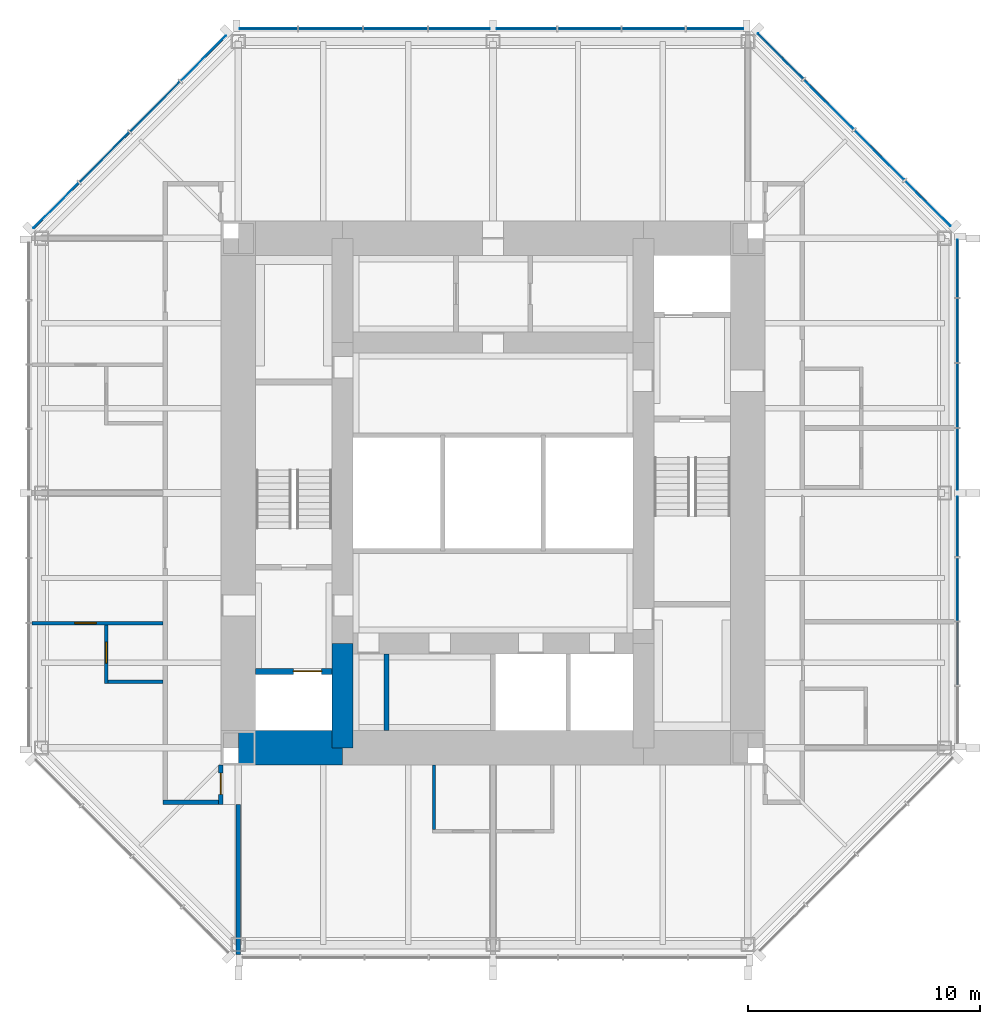
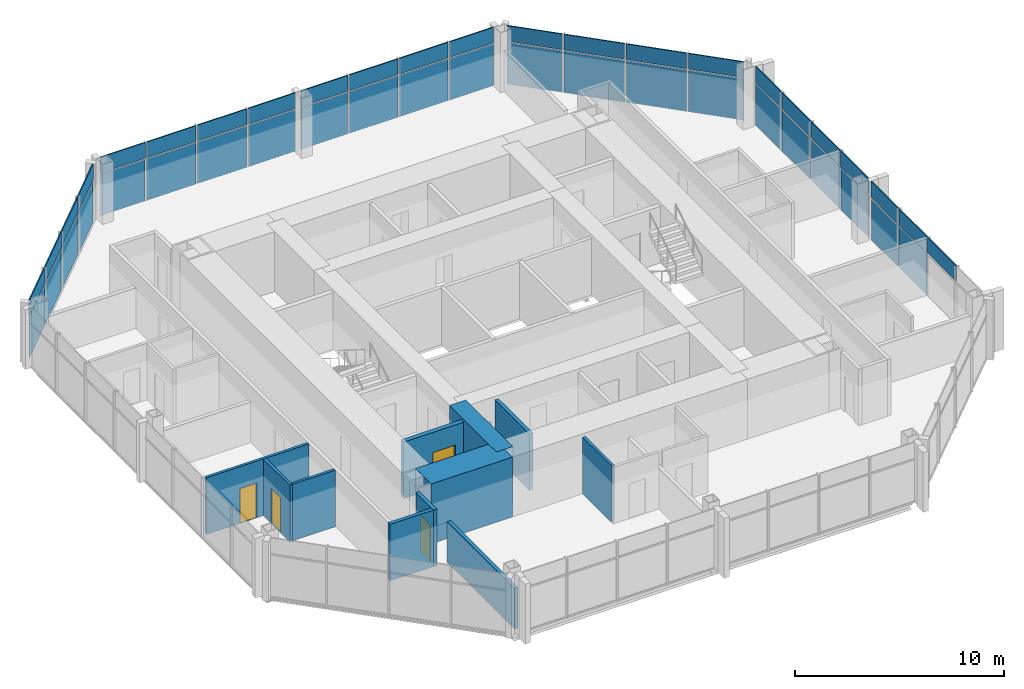
# One storey, part 7 of 11: 45 plates, 11 walls, 4 doors, 4 openings, 4 elements without a shape of their own.
"""IFC4 building model written with IfcOpenShell, lengths in metres."""

import ifcopenshell
import ifcopenshell.guid

model = None  # the IFC model being written
_history = None  # IfcOwnerHistory: only IFC2X3 demands one
_inside = {}  # id of a spatial element -> (the spatial element, [elements in it])
_under = {}  # id of a project, library or spatial element -> (it, [spatial elements below it])
_declared = {}  # id of a project -> (the project, [libraries it declares])
_typed = {}  # id of a type object -> (the type object, [elements of that type])
_made_of = {}  # id of a material, layer set ... -> (it, [elements and type objects made of it])


def new_model(schema):
    """Start an empty IFC model of exactly this schema.

    Asked for "IFC4X3", IfcOpenShell would pick the latest addendum, in which some entities
    have other attributes; the version numbers below select the first issue.
    IFC2X3 requires an IfcOwnerHistory on every rooted entity: one is made here for all.
    """
    global model, _history
    if schema == "IFC4X3":
        model = ifcopenshell.file(schema_version=(4, 3, 0, 0))
    else:
        model = ifcopenshell.file(schema=schema)
    _inside.clear()
    _under.clear()
    _declared.clear()
    _typed.clear()
    _made_of.clear()
    _history = None
    if model.schema == "IFC2X3":
        org = make("IfcOrganization", Name="unknown")
        user = make(
            "IfcPersonAndOrganization",
            ThePerson=make("IfcPerson", FamilyName="unknown"),
            TheOrganization=org,
        )
        app = make(
            "IfcApplication",
            ApplicationDeveloper=org,
            Version="unknown",
            ApplicationFullName="unknown",
            ApplicationIdentifier="unknown",
        )
        _history = make(
            "IfcOwnerHistory",
            OwningUser=user,
            OwningApplication=app,
            ChangeAction="ADDED",
            CreationDate=0,
        )
    return model


def make(cls, **values):
    """One entity of the class cls with the attributes given. An attribute that is None is left unset."""
    return model.create_entity(
        cls, **{name: value for name, value in values.items() if value is not None}
    )


def rooted(cls, **values):
    """An entity with a GlobalId (a new one), such as an element, a storey or a relation."""
    return make(cls, GlobalId=ifcopenshell.guid.new(), OwnerHistory=_history, **values)


def si_unit(unit_type, name, prefix=None):
    """IfcSIUnit, for example si_unit("LENGTHUNIT", "METRE", prefix="MILLI")."""
    return make("IfcSIUnit", UnitType=unit_type, Prefix=prefix, Name=name)


def assignment(units):
    """IfcUnitAssignment: the units of a project."""
    return None if units is None else make("IfcUnitAssignment", Units=units)


def point(xyz):
    """IfcCartesianPoint."""
    return None if xyz is None else make("IfcCartesianPoint", Coordinates=xyz)


def direction(xyz):
    """IfcDirection."""
    return None if xyz is None else make("IfcDirection", DirectionRatios=xyz)


def frame(location, z_axis=None, x_axis=None):
    """IfcAxis2Placement3D, a coordinate frame: its origin and axes. An axis left out is left unset."""
    return make(
        "IfcAxis2Placement3D",
        Location=point(location),
        Axis=direction(z_axis),
        RefDirection=direction(x_axis),
    )


def frame_2d(location, x_axis=None):
    """IfcAxis2Placement2D, a coordinate frame in the plane: its origin and x axis."""
    return make(
        "IfcAxis2Placement2D", Location=point(location), RefDirection=direction(x_axis)
    )


def origin():
    """The frame at (0, 0, 0) with its axes left unset."""
    return frame((0.0, 0.0, 0.0))


def origin_2d():
    """The frame at (0, 0) in the plane with its x axis left unset."""
    return frame_2d((0.0, 0.0))


def place(relative_to, where):
    """IfcLocalPlacement: puts the frame where relative to a parent placement (None: the world)."""
    return make(
        "IfcLocalPlacement", PlacementRelTo=relative_to, RelativePlacement=where
    )


def context(
    kind, dimensions, precision=None, world=None, true_north=None, identifier=None
):
    """IfcGeometricRepresentationContext, for example the 3D "Model" context."""
    return make(
        "IfcGeometricRepresentationContext",
        ContextIdentifier=identifier,
        ContextType=kind,
        CoordinateSpaceDimension=dimensions,
        Precision=precision,
        WorldCoordinateSystem=world,
        TrueNorth=true_north,
    )


def subcontext(parent, identifier, kind, view, scale=None):
    """IfcGeometricRepresentationSubContext, for example "Body" below "Model"."""
    return make(
        "IfcGeometricRepresentationSubContext",
        ContextIdentifier=identifier,
        ContextType=kind,
        ParentContext=parent,
        TargetScale=scale,
        TargetView=view,
    )


def project(units=None, contexts=None):
    """IfcProject with its units and contexts."""
    return rooted(
        "IfcProject",
        Name="project",
        RepresentationContexts=contexts,
        UnitsInContext=assignment(units),
    )


def spatial(cls, under=None, at=None, **own):
    """A site, building, storey or space (cls), placed at a placement, below another one or the project."""
    s = rooted(cls, ObjectPlacement=at, **own)
    if under is not None:
        _under.setdefault(under.id(), (under, []))[1].append(s)
    return s


def profile(cls, at=None, kind="AREA", **sizes):
    """A parametric profile (cls). Its sizes go by their IFC names, for example OverallWidth=200.0."""
    return make(cls, ProfileType=kind, Position=at, **sizes)


def rectangle(**sizes):
    """IfcRectangleProfileDef."""
    return profile("IfcRectangleProfileDef", **sizes)


def extrude(swept, where, along, depth):
    """IfcExtrudedAreaSolid: the profile swept, set in the frame where, extruded along a direction by depth."""
    return make(
        "IfcExtrudedAreaSolid",
        SweptArea=swept,
        Position=where,
        ExtrudedDirection=direction(along),
        Depth=depth,
    )


def shape(context_of_items, identifier, shape_type, items):
    """IfcShapeRepresentation: the items that make up one representation, for example the "Body"."""
    return make(
        "IfcShapeRepresentation",
        ContextOfItems=context_of_items,
        RepresentationIdentifier=identifier,
        RepresentationType=shape_type,
        Items=items,
    )


def material(Name=None, Category=None):
    """IfcMaterial."""
    return make("IfcMaterial", Name=Name, Category=Category)


def layer(
    of_material, thickness, ventilated=None, Name=None, Category=None, Priority=None
):
    """IfcMaterialLayer: one layer of a wall or slab, of a material (None: an air gap)."""
    return make(
        "IfcMaterialLayer",
        Material=of_material,
        LayerThickness=thickness,
        IsVentilated=ventilated,
        Name=Name,
        Category=Category,
        Priority=Priority,
    )


def layer_set(layers, Name=None):
    """IfcMaterialLayerSet."""
    return make("IfcMaterialLayerSet", MaterialLayers=layers, LayerSetName=Name)


def made_of(thing, what):
    """Note that an element or type object is made of a material, layer set ...; save() writes the relation."""
    if what is not None:
        _made_of.setdefault(what.id(), (what, []))[1].append(thing)
    return thing


def type_object(cls, material=None, **own):
    """A type object (cls), such as IfcWallType, which elements share."""
    return made_of(rooted(cls, **own), material)


def element(
    cls,
    number,
    at=None,
    inside=None,
    cuts=None,
    type_object=None,
    material=None,
    context=None,
    identifier="Body",
    shape_type=None,
    held_by="IfcProductDefinitionShape",
    body=None,
    shapes=None,
    **own,
):
    """One element of the class cls, such as IfcWall. Its Tag is "e" and its number.

    at: its placement. inside: the storey or other place that contains it. cuts: it is an
    opening in that element (IfcRelVoidsElement). A single representation is given by context,
    identifier, shape_type and body (its items); several are given by shapes. held_by: the class
    of the entity that holds the representations. save() writes the other relations.
    """
    e = rooted(cls, Tag="e%d" % number, ObjectPlacement=at, **own)
    if body is not None:
        shapes = [shape(context, identifier, shape_type, body)]
    if shapes is not None:
        e.Representation = make(held_by, Representations=shapes)
    if inside is not None:
        _inside.setdefault(inside.id(), (inside, []))[1].append(e)
    if cuts is not None:
        rooted(
            "IfcRelVoidsElement", RelatingBuildingElement=cuts, RelatedOpeningElement=e
        )
    if type_object is not None:
        _typed.setdefault(type_object.id(), (type_object, []))[1].append(e)
    return made_of(e, material)


def fill(opening, filler):
    """IfcRelFillsElement: the door or window that sits in an opening."""
    return rooted(
        "IfcRelFillsElement",
        RelatingOpeningElement=opening,
        RelatedBuildingElement=filler,
    )


def aggregate(whole, parts):
    """IfcRelAggregates: a whole, such as a stair, and the parts it consists of."""
    return rooted("IfcRelAggregates", RelatingObject=whole, RelatedObjects=parts)


def save(model, path):
    """Write the relations noted so far, then the file.

    IfcRelAggregates (storeys below a building ...), IfcRelContainedInSpatialStructure (elements
    in a storey), IfcRelDefinesByType, IfcRelAssociatesMaterial and IfcRelDeclares: one each for
    every whole, place, type object, material and project.
    """
    for whole, parts in _under.values():
        aggregate(whole, parts)
    for where, things in _inside.values():
        rooted(
            "IfcRelContainedInSpatialStructure",
            RelatedElements=things,
            RelatingStructure=where,
        )
    for kind, things in _typed.values():
        rooted("IfcRelDefinesByType", RelatedObjects=things, RelatingType=kind)
    for what, things in _made_of.values():
        rooted("IfcRelAssociatesMaterial", RelatedObjects=things, RelatingMaterial=what)
    for by, libraries in _declared.values():
        rooted("IfcRelDeclares", RelatingContext=by, RelatedDefinitions=libraries)
    model.write(path)


model = new_model("IFC4")

# Units and contexts
model_context = context("Model", 3, precision=1e-05, world=origin(), true_north=direction((0.0, 1.0)))
body_context = subcontext(model_context, "Body", "Model", "MODEL_VIEW")
ifc_project = project(units=[si_unit("LENGTHUNIT", "METRE"), si_unit("AREAUNIT", "SQUARE_METRE"), si_unit("VOLUMEUNIT", "CUBIC_METRE"), si_unit("PLANEANGLEUNIT", "RADIAN"), si_unit("MASSUNIT", "GRAM", prefix="KILO")], contexts=[model_context])

# Site, building, storey
site_placement = place(None, origin())
site = spatial("IfcSite", under=ifc_project, at=site_placement, CompositionType="ELEMENT")
building_placement = place(site_placement, origin())
building = spatial("IfcBuilding", under=site, at=building_placement, Name="Trevanion Tower", CompositionType="ELEMENT")
storey_placement = place(building_placement, frame((0.0, 0.0, 253.699951171875)))
storey = spatial("IfcBuildingStorey", under=building, at=storey_placement, Name="L62", CompositionType="ELEMENT", Elevation=253.699951171875)

# Curtain wall, plates
ifc_material_1 = material(Name="Aluminium and glass", Category="aluminium")
curtain_wall_type = type_object("IfcCurtainWallType", Name="CW3 curtain wall", PredefinedType="USERDEFINED", material=ifc_material_1)
curtain_wall_1_placement = place(storey_placement, origin())
curtain_wall_1 = element("IfcCurtainWall", 1, at=curtain_wall_1_placement, inside=storey, type_object=curtain_wall_type, Name="CW3 L62 0", ObjectType="UNITISED CURTAIN WALL", PredefinedType="USERDEFINED")
ifc_material_2 = material(Name="Aluminium spandrel panel", Category="aluminium")
ifc_layer_1 = layer(ifc_material_2, 0.06005859375)
ifc_layer_set_1 = layer_set([ifc_layer_1], Name="CW3 spandrel panel")
plate_type_1 = type_object("IfcPlateType", Name="CW3 spandrel panel", PredefinedType="CURTAIN_PANEL", material=ifc_layer_set_1)
plate_1_placement = place(storey_placement, frame((20.050048828125, -6.93603515625, 2.3974609375), z_axis=(0.0, 0.0, 1.0), x_axis=(0.0, 1.0, 0.0)))
plate_1 = element("IfcPlate", 2, at=plate_1_placement, type_object=plate_type_1, Name="CW3 panel 2.2", PredefinedType="CURTAIN_PANEL", context=body_context, shape_type="SweptSolid", body=[
    extrude(rectangle(XDim=2.699462890625, YDim=0.06005859375, at=origin_2d()), origin(), (0.0, 0.0, 1.0), 0.91259765625),
])
plate_2_placement = place(storey_placement, frame((20.050048828125, -4.16162109375, 2.3974609375), z_axis=(0.0, 0.0, 1.0), x_axis=(0.0, 1.0, 0.0)))
plate_2 = element("IfcPlate", 3, at=plate_2_placement, type_object=plate_type_1, Name="CW3 panel 3.2", PredefinedType="CURTAIN_PANEL", context=body_context, shape_type="SweptSolid", body=[
    extrude(rectangle(XDim=2.699462890625, YDim=0.06005859375, at=origin_2d()), origin(), (0.0, 0.0, 1.0), 0.91259765625),
])
plate_3_placement = place(storey_placement, frame((20.050048828125, -1.443603515625, 2.3974609375), z_axis=(0.0, 0.0, 1.0), x_axis=(0.0, 1.0, 0.0)))
plate_3 = element("IfcPlate", 4, at=plate_3_placement, type_object=plate_type_1, Name="CW3 panel 4.2", PredefinedType="CURTAIN_PANEL", context=body_context, shape_type="SweptSolid", body=[
    extrude(rectangle(XDim=2.5869140625, YDim=0.06005859375, at=origin_2d()), origin(), (0.0, 0.0, 1.0), 0.91259765625),
])
plate_4_placement = place(storey_placement, frame((20.050048828125, 1.459716796875, 2.3974609375), z_axis=(0.0, 0.0, 1.0), x_axis=(0.0, 1.0, 0.0)))
plate_4 = element("IfcPlate", 5, at=plate_4_placement, type_object=plate_type_1, Name="CW3 panel 5.2", PredefinedType="CURTAIN_PANEL", context=body_context, shape_type="SweptSolid", body=[
    extrude(rectangle(XDim=2.619384765625, YDim=0.06005859375, at=origin_2d()), origin(), (0.0, 0.0, 1.0), 0.91259765625),
])
plate_5_placement = place(storey_placement, frame((20.050048828125, 4.21044921875, 2.3974609375), z_axis=(0.0, 0.0, 1.0), x_axis=(0.0, 1.0, 0.0)))
plate_5 = element("IfcPlate", 6, at=plate_5_placement, type_object=plate_type_1, Name="CW3 panel 6.2", PredefinedType="CURTAIN_PANEL", context=body_context, shape_type="SweptSolid", body=[
    extrude(rectangle(XDim=2.73193359375, YDim=0.06005859375, at=origin_2d()), origin(), (0.0, 0.0, 1.0), 0.91259765625),
])
plate_6_placement = place(storey_placement, frame((20.050048828125, 7.017333984375, 2.3974609375), z_axis=(0.0, 0.0, 1.0), x_axis=(0.0, 1.0, 0.0)))
plate_6 = element("IfcPlate", 7, at=plate_6_placement, type_object=plate_type_1, Name="CW3 panel 7.2", PredefinedType="CURTAIN_PANEL", context=body_context, shape_type="SweptSolid", body=[
    extrude(rectangle(XDim=2.73193359375, YDim=0.06005859375, at=origin_2d()), origin(), (0.0, 0.0, 1.0), 0.91259765625),
])
plate_7_placement = place(storey_placement, frame((20.050048828125, 9.693115234375, 2.3974609375), z_axis=(0.0, 0.0, 1.0), x_axis=(0.0, 1.0, 0.0)))
plate_7 = element("IfcPlate", 8, at=plate_7_placement, type_object=plate_type_1, Name="CW3 panel 8.2", PredefinedType="CURTAIN_PANEL", context=body_context, shape_type="SweptSolid", body=[
    extrude(rectangle(XDim=2.469482421875, YDim=0.06005859375, at=origin_2d()), origin(), (0.0, 0.0, 1.0), 0.91259765625),
])

curtain_wall_2_placement = place(storey_placement, origin())
curtain_wall_2 = element("IfcCurtainWall", 9, at=curtain_wall_2_placement, inside=storey, type_object=curtain_wall_type, Name="CW3 L62 1", ObjectType="UNITISED CURTAIN WALL", PredefinedType="USERDEFINED")
plate_8_placement = place(storey_placement, frame((18.77392578125, 12.50390625, 2.3974609375), z_axis=(0.0, 0.0, 1.0), x_axis=(-0.707106781187, 0.707106781187, 0.0)))
plate_8 = element("IfcPlate", 10, at=plate_8_placement, type_object=plate_type_1, Name="CW3 panel 1.2", PredefinedType="CURTAIN_PANEL", context=body_context, shape_type="SweptSolid", body=[
    extrude(rectangle(XDim=2.7490234375, YDim=0.06005859375, at=origin_2d()), origin(), (0.0, 0.0, 1.0), 0.91259765625),
])
plate_9_placement = place(storey_placement, frame((16.68408203125, 14.593505859375, 2.3974609375), z_axis=(0.0, 0.0, 1.0), x_axis=(-0.707106781187, 0.707106781187, 0.0)))
plate_9 = element("IfcPlate", 11, at=plate_9_placement, type_object=plate_type_1, Name="CW3 panel 2.2", PredefinedType="CURTAIN_PANEL", context=body_context, shape_type="SweptSolid", body=[
    extrude(rectangle(XDim=3.01171875, YDim=0.06005859375, at=origin_2d()), origin(), (0.0, 0.0, 1.0), 0.91259765625),
])
plate_10_placement = place(storey_placement, frame((14.501708984375, 16.776123046875, 2.3974609375), z_axis=(0.0, 0.0, 1.0), x_axis=(-0.707106781187, 0.707106781187, 0.0)))
plate_10 = element("IfcPlate", 12, at=plate_10_placement, type_object=plate_type_1, Name="CW3 panel 3.2", PredefinedType="CURTAIN_PANEL", context=body_context, shape_type="SweptSolid", body=[
    extrude(rectangle(XDim=3.01171875, YDim=0.06005859375, at=origin_2d()), origin(), (0.0, 0.0, 1.0), 0.91259765625),
])
plate_11_placement = place(storey_placement, frame((12.411865234375, 18.865966796875, 2.3974609375), z_axis=(0.0, 0.0, 1.0), x_axis=(-0.707106781187, 0.707106781187, 0.0)))
plate_11 = element("IfcPlate", 13, at=plate_11_placement, type_object=plate_type_1, Name="CW3 panel 4.2", PredefinedType="CURTAIN_PANEL", context=body_context, shape_type="SweptSolid", body=[
    extrude(rectangle(XDim=2.7490234375, YDim=0.06005859375, at=origin_2d()), origin(), (0.0, 0.0, 1.0), 0.91259765625),
])

curtain_wall_3_placement = place(storey_placement, origin())
curtain_wall_3 = element("IfcCurtainWall", 14, at=curtain_wall_3_placement, inside=storey, type_object=curtain_wall_type, Name="CW3 L62 2", ObjectType="UNITISED CURTAIN WALL", PredefinedType="USERDEFINED")
plate_12_placement = place(storey_placement, frame((9.579345703125, 20.050048828125, 2.3974609375), z_axis=(0.0, 0.0, 1.0), x_axis=(-1.0, 0.0, 0.0)))
plate_12 = element("IfcPlate", 15, at=plate_12_placement, type_object=plate_type_1, Name="CW3 panel 1.2", PredefinedType="CURTAIN_PANEL", context=body_context, shape_type="SweptSolid", body=[
    extrude(rectangle(XDim=2.43701171875, YDim=0.06005859375, at=origin_2d()), origin(), (0.0, 0.0, 1.0), 0.91259765625),
])
plate_13_placement = place(storey_placement, frame((6.93603515625, 20.050048828125, 2.3974609375), z_axis=(0.0, 0.0, 1.0), x_axis=(-1.0, 0.0, 0.0)))
plate_13 = element("IfcPlate", 16, at=plate_13_placement, type_object=plate_type_1, Name="CW3 panel 2.2", PredefinedType="CURTAIN_PANEL", context=body_context, shape_type="SweptSolid", body=[
    extrude(rectangle(XDim=2.699462890625, YDim=0.06005859375, at=origin_2d()), origin(), (0.0, 0.0, 1.0), 0.91259765625),
])
plate_14_placement = place(storey_placement, frame((4.16162109375, 20.050048828125, 2.3974609375), z_axis=(0.0, 0.0, 1.0), x_axis=(-1.0, 0.0, 0.0)))
plate_14 = element("IfcPlate", 17, at=plate_14_placement, type_object=plate_type_1, Name="CW3 panel 3.2", PredefinedType="CURTAIN_PANEL", context=body_context, shape_type="SweptSolid", body=[
    extrude(rectangle(XDim=2.699462890625, YDim=0.06005859375, at=origin_2d()), origin(), (0.0, 0.0, 1.0), 0.91259765625),
])
plate_15_placement = place(storey_placement, frame((1.443603515625, 20.050048828125, 2.3974609375), z_axis=(0.0, 0.0, 1.0), x_axis=(-1.0, 0.0, 0.0)))
plate_15 = element("IfcPlate", 18, at=plate_15_placement, type_object=plate_type_1, Name="CW3 panel 4.2", PredefinedType="CURTAIN_PANEL", context=body_context, shape_type="SweptSolid", body=[
    extrude(rectangle(XDim=2.5869140625, YDim=0.06005859375, at=origin_2d()), origin(), (0.0, 0.0, 1.0), 0.91259765625),
])
plate_16_placement = place(storey_placement, frame((-1.459716796875, 20.050048828125, 2.3974609375), z_axis=(0.0, 0.0, 1.0), x_axis=(-1.0, 0.0, 0.0)))
plate_16 = element("IfcPlate", 19, at=plate_16_placement, type_object=plate_type_1, Name="CW3 panel 5.2", PredefinedType="CURTAIN_PANEL", context=body_context, shape_type="SweptSolid", body=[
    extrude(rectangle(XDim=2.619384765625, YDim=0.06005859375, at=origin_2d()), origin(), (0.0, 0.0, 1.0), 0.91259765625),
])
plate_17_placement = place(storey_placement, frame((-4.21044921875, 20.050048828125, 2.3974609375), z_axis=(0.0, 0.0, 1.0), x_axis=(-1.0, 0.0, 0.0)))
plate_17 = element("IfcPlate", 20, at=plate_17_placement, type_object=plate_type_1, Name="CW3 panel 6.2", PredefinedType="CURTAIN_PANEL", context=body_context, shape_type="SweptSolid", body=[
    extrude(rectangle(XDim=2.73193359375, YDim=0.06005859375, at=origin_2d()), origin(), (0.0, 0.0, 1.0), 0.91259765625),
])
plate_18_placement = place(storey_placement, frame((-7.017333984375, 20.050048828125, 2.3974609375), z_axis=(0.0, 0.0, 1.0), x_axis=(-1.0, 0.0, 0.0)))
plate_18 = element("IfcPlate", 21, at=plate_18_placement, type_object=plate_type_1, Name="CW3 panel 7.2", PredefinedType="CURTAIN_PANEL", context=body_context, shape_type="SweptSolid", body=[
    extrude(rectangle(XDim=2.73193359375, YDim=0.06005859375, at=origin_2d()), origin(), (0.0, 0.0, 1.0), 0.91259765625),
])
plate_19_placement = place(storey_placement, frame((-9.693115234375, 20.050048828125, 2.3974609375), z_axis=(0.0, 0.0, 1.0), x_axis=(-1.0, 0.0, 0.0)))
plate_19 = element("IfcPlate", 22, at=plate_19_placement, type_object=plate_type_1, Name="CW3 panel 8.2", PredefinedType="CURTAIN_PANEL", context=body_context, shape_type="SweptSolid", body=[
    extrude(rectangle(XDim=2.469482421875, YDim=0.06005859375, at=origin_2d()), origin(), (0.0, 0.0, 1.0), 0.91259765625),
])

curtain_wall_4_placement = place(storey_placement, origin())
curtain_wall_4 = element("IfcCurtainWall", 23, at=curtain_wall_4_placement, inside=storey, type_object=curtain_wall_type, Name="CW3 L62 3", ObjectType="UNITISED CURTAIN WALL", PredefinedType="USERDEFINED")
plate_20_placement = place(storey_placement, frame((-12.50390625, 18.77392578125, 2.3974609375), z_axis=(0.0, 0.0, 1.0), x_axis=(-0.707106781187, -0.707106781187, 0.0)))
plate_20 = element("IfcPlate", 24, at=plate_20_placement, type_object=plate_type_1, Name="CW3 panel 1.2", PredefinedType="CURTAIN_PANEL", context=body_context, shape_type="SweptSolid", body=[
    extrude(rectangle(XDim=2.7490234375, YDim=0.06005859375, at=origin_2d()), origin(), (0.0, 0.0, 1.0), 0.91259765625),
])
plate_21_placement = place(storey_placement, frame((-14.593505859375, 16.68408203125, 2.3974609375), z_axis=(0.0, 0.0, 1.0), x_axis=(-0.707106781187, -0.707106781187, 0.0)))
plate_21 = element("IfcPlate", 25, at=plate_21_placement, type_object=plate_type_1, Name="CW3 panel 2.2", PredefinedType="CURTAIN_PANEL", context=body_context, shape_type="SweptSolid", body=[
    extrude(rectangle(XDim=3.01171875, YDim=0.06005859375, at=origin_2d()), origin(), (0.0, 0.0, 1.0), 0.91259765625),
])
plate_22_placement = place(storey_placement, frame((-16.776123046875, 14.501708984375, 2.3974609375), z_axis=(0.0, 0.0, 1.0), x_axis=(-0.707106781187, -0.707106781187, 0.0)))
plate_22 = element("IfcPlate", 26, at=plate_22_placement, type_object=plate_type_1, Name="CW3 panel 3.2", PredefinedType="CURTAIN_PANEL", context=body_context, shape_type="SweptSolid", body=[
    extrude(rectangle(XDim=3.01171875, YDim=0.06005859375, at=origin_2d()), origin(), (0.0, 0.0, 1.0), 0.91259765625),
])
plate_23_placement = place(storey_placement, frame((-18.865966796875, 12.411865234375, 2.3974609375), z_axis=(0.0, 0.0, 1.0), x_axis=(-0.707106781187, -0.707106781187, 0.0)))
plate_23 = element("IfcPlate", 27, at=plate_23_placement, type_object=plate_type_1, Name="CW3 panel 4.2", PredefinedType="CURTAIN_PANEL", context=body_context, shape_type="SweptSolid", body=[
    extrude(rectangle(XDim=2.7490234375, YDim=0.06005859375, at=origin_2d()), origin(), (0.0, 0.0, 1.0), 0.91259765625),
])

# Plate
ifc_material_3 = material(Name="Insulating glass unit", Category="glass")
ifc_layer_2 = layer(ifc_material_3, 0.028076171875)
ifc_layer_set_2 = layer_set([ifc_layer_2], Name="CW3 vision panel")
plate_type_2 = type_object("IfcPlateType", Name="CW3 vision panel", PredefinedType="CURTAIN_PANEL", material=ifc_layer_set_2)
plate_24_placement = place(storey_placement, frame((20.050048828125, -4.16162109375, -0.114990234375), z_axis=(0.0, 0.0, 1.0), x_axis=(0.0, 1.0, 0.0)))
plate_24 = element("IfcPlate", 28, at=plate_24_placement, type_object=plate_type_2, Name="CW3 panel 3.1", PredefinedType="CURTAIN_PANEL", context=body_context, shape_type="SweptSolid", body=[
    extrude(rectangle(XDim=2.699462890625, YDim=0.028076171875, at=origin_2d()), origin(), (0.0, 0.0, 1.0), 2.4375),
])

plate_25_placement = place(storey_placement, frame((20.050048828125, -1.443603515625, -0.114990234375), z_axis=(0.0, 0.0, 1.0), x_axis=(0.0, 1.0, 0.0)))
plate_25 = element("IfcPlate", 29, at=plate_25_placement, type_object=plate_type_2, Name="CW3 panel 4.1", PredefinedType="CURTAIN_PANEL", context=body_context, shape_type="SweptSolid", body=[
    extrude(rectangle(XDim=2.5869140625, YDim=0.028076171875, at=origin_2d()), origin(), (0.0, 0.0, 1.0), 2.4375),
])

plate_26_placement = place(storey_placement, frame((20.050048828125, 1.459716796875, -0.114990234375), z_axis=(0.0, 0.0, 1.0), x_axis=(0.0, 1.0, 0.0)))
plate_26 = element("IfcPlate", 30, at=plate_26_placement, type_object=plate_type_2, Name="CW3 panel 5.1", PredefinedType="CURTAIN_PANEL", context=body_context, shape_type="SweptSolid", body=[
    extrude(rectangle(XDim=2.619384765625, YDim=0.028076171875, at=origin_2d()), origin(), (0.0, 0.0, 1.0), 2.4375),
])

plate_27_placement = place(storey_placement, frame((20.050048828125, 4.21044921875, -0.114990234375), z_axis=(0.0, 0.0, 1.0), x_axis=(0.0, 1.0, 0.0)))
plate_27 = element("IfcPlate", 31, at=plate_27_placement, type_object=plate_type_2, Name="CW3 panel 6.1", PredefinedType="CURTAIN_PANEL", context=body_context, shape_type="SweptSolid", body=[
    extrude(rectangle(XDim=2.73193359375, YDim=0.028076171875, at=origin_2d()), origin(), (0.0, 0.0, 1.0), 2.4375),
])

plate_28_placement = place(storey_placement, frame((20.050048828125, 7.017333984375, -0.114990234375), z_axis=(0.0, 0.0, 1.0), x_axis=(0.0, 1.0, 0.0)))
plate_28 = element("IfcPlate", 32, at=plate_28_placement, type_object=plate_type_2, Name="CW3 panel 7.1", PredefinedType="CURTAIN_PANEL", context=body_context, shape_type="SweptSolid", body=[
    extrude(rectangle(XDim=2.73193359375, YDim=0.028076171875, at=origin_2d()), origin(), (0.0, 0.0, 1.0), 2.4375),
])

plate_29_placement = place(storey_placement, frame((20.050048828125, 9.693115234375, -0.114990234375), z_axis=(0.0, 0.0, 1.0), x_axis=(0.0, 1.0, 0.0)))
plate_29 = element("IfcPlate", 33, at=plate_29_placement, type_object=plate_type_2, Name="CW3 panel 8.1", PredefinedType="CURTAIN_PANEL", context=body_context, shape_type="SweptSolid", body=[
    extrude(rectangle(XDim=2.469482421875, YDim=0.028076171875, at=origin_2d()), origin(), (0.0, 0.0, 1.0), 2.4375),
])

aggregate(curtain_wall_1, [plate_1, plate_24, plate_2, plate_25, plate_3, plate_26, plate_4, plate_27, plate_5, plate_28, plate_6, plate_29, plate_7])

plate_30_placement = place(storey_placement, frame((18.77392578125, 12.50390625, -0.114990234375), z_axis=(0.0, 0.0, 1.0), x_axis=(-0.707106781187, 0.707106781187, 0.0)))
plate_30 = element("IfcPlate", 34, at=plate_30_placement, type_object=plate_type_2, Name="CW3 panel 1.1", PredefinedType="CURTAIN_PANEL", context=body_context, shape_type="SweptSolid", body=[
    extrude(rectangle(XDim=2.7490234375, YDim=0.028076171875, at=origin_2d()), origin(), (0.0, 0.0, 1.0), 2.4375),
])

plate_31_placement = place(storey_placement, frame((16.68408203125, 14.593505859375, -0.114990234375), z_axis=(0.0, 0.0, 1.0), x_axis=(-0.707106781187, 0.707106781187, 0.0)))
plate_31 = element("IfcPlate", 35, at=plate_31_placement, type_object=plate_type_2, Name="CW3 panel 2.1", PredefinedType="CURTAIN_PANEL", context=body_context, shape_type="SweptSolid", body=[
    extrude(rectangle(XDim=3.01171875, YDim=0.028076171875, at=origin_2d()), origin(), (0.0, 0.0, 1.0), 2.4375),
])

plate_32_placement = place(storey_placement, frame((14.501708984375, 16.776123046875, -0.114990234375), z_axis=(0.0, 0.0, 1.0), x_axis=(-0.707106781187, 0.707106781187, 0.0)))
plate_32 = element("IfcPlate", 36, at=plate_32_placement, type_object=plate_type_2, Name="CW3 panel 3.1", PredefinedType="CURTAIN_PANEL", context=body_context, shape_type="SweptSolid", body=[
    extrude(rectangle(XDim=3.01171875, YDim=0.028076171875, at=origin_2d()), origin(), (0.0, 0.0, 1.0), 2.4375),
])

plate_33_placement = place(storey_placement, frame((12.411865234375, 18.865966796875, -0.114990234375), z_axis=(0.0, 0.0, 1.0), x_axis=(-0.707106781187, 0.707106781187, 0.0)))
plate_33 = element("IfcPlate", 37, at=plate_33_placement, type_object=plate_type_2, Name="CW3 panel 4.1", PredefinedType="CURTAIN_PANEL", context=body_context, shape_type="SweptSolid", body=[
    extrude(rectangle(XDim=2.7490234375, YDim=0.028076171875, at=origin_2d()), origin(), (0.0, 0.0, 1.0), 2.4375),
])

aggregate(curtain_wall_2, [plate_30, plate_8, plate_31, plate_9, plate_32, plate_10, plate_33, plate_11])

plate_34_placement = place(storey_placement, frame((9.579345703125, 20.050048828125, -0.114990234375), z_axis=(0.0, 0.0, 1.0), x_axis=(-1.0, 0.0, 0.0)))
plate_34 = element("IfcPlate", 38, at=plate_34_placement, type_object=plate_type_2, Name="CW3 panel 1.1", PredefinedType="CURTAIN_PANEL", context=body_context, shape_type="SweptSolid", body=[
    extrude(rectangle(XDim=2.43701171875, YDim=0.028076171875, at=origin_2d()), origin(), (0.0, 0.0, 1.0), 2.4375),
])

plate_35_placement = place(storey_placement, frame((6.93603515625, 20.050048828125, -0.114990234375), z_axis=(0.0, 0.0, 1.0), x_axis=(-1.0, 0.0, 0.0)))
plate_35 = element("IfcPlate", 39, at=plate_35_placement, type_object=plate_type_2, Name="CW3 panel 2.1", PredefinedType="CURTAIN_PANEL", context=body_context, shape_type="SweptSolid", body=[
    extrude(rectangle(XDim=2.699462890625, YDim=0.028076171875, at=origin_2d()), origin(), (0.0, 0.0, 1.0), 2.4375),
])

plate_36_placement = place(storey_placement, frame((4.16162109375, 20.050048828125, -0.114990234375), z_axis=(0.0, 0.0, 1.0), x_axis=(-1.0, 0.0, 0.0)))
plate_36 = element("IfcPlate", 40, at=plate_36_placement, type_object=plate_type_2, Name="CW3 panel 3.1", PredefinedType="CURTAIN_PANEL", context=body_context, shape_type="SweptSolid", body=[
    extrude(rectangle(XDim=2.699462890625, YDim=0.028076171875, at=origin_2d()), origin(), (0.0, 0.0, 1.0), 2.4375),
])

plate_37_placement = place(storey_placement, frame((1.443603515625, 20.050048828125, -0.114990234375), z_axis=(0.0, 0.0, 1.0), x_axis=(-1.0, 0.0, 0.0)))
plate_37 = element("IfcPlate", 41, at=plate_37_placement, type_object=plate_type_2, Name="CW3 panel 4.1", PredefinedType="CURTAIN_PANEL", context=body_context, shape_type="SweptSolid", body=[
    extrude(rectangle(XDim=2.5869140625, YDim=0.028076171875, at=origin_2d()), origin(), (0.0, 0.0, 1.0), 2.4375),
])

plate_38_placement = place(storey_placement, frame((-1.459716796875, 20.050048828125, -0.114990234375), z_axis=(0.0, 0.0, 1.0), x_axis=(-1.0, 0.0, 0.0)))
plate_38 = element("IfcPlate", 42, at=plate_38_placement, type_object=plate_type_2, Name="CW3 panel 5.1", PredefinedType="CURTAIN_PANEL", context=body_context, shape_type="SweptSolid", body=[
    extrude(rectangle(XDim=2.619384765625, YDim=0.028076171875, at=origin_2d()), origin(), (0.0, 0.0, 1.0), 2.4375),
])

plate_39_placement = place(storey_placement, frame((-4.21044921875, 20.050048828125, -0.114990234375), z_axis=(0.0, 0.0, 1.0), x_axis=(-1.0, 0.0, 0.0)))
plate_39 = element("IfcPlate", 43, at=plate_39_placement, type_object=plate_type_2, Name="CW3 panel 6.1", PredefinedType="CURTAIN_PANEL", context=body_context, shape_type="SweptSolid", body=[
    extrude(rectangle(XDim=2.73193359375, YDim=0.028076171875, at=origin_2d()), origin(), (0.0, 0.0, 1.0), 2.4375),
])

plate_40_placement = place(storey_placement, frame((-7.017333984375, 20.050048828125, -0.114990234375), z_axis=(0.0, 0.0, 1.0), x_axis=(-1.0, 0.0, 0.0)))
plate_40 = element("IfcPlate", 44, at=plate_40_placement, type_object=plate_type_2, Name="CW3 panel 7.1", PredefinedType="CURTAIN_PANEL", context=body_context, shape_type="SweptSolid", body=[
    extrude(rectangle(XDim=2.73193359375, YDim=0.028076171875, at=origin_2d()), origin(), (0.0, 0.0, 1.0), 2.4375),
])

plate_41_placement = place(storey_placement, frame((-9.693115234375, 20.050048828125, -0.114990234375), z_axis=(0.0, 0.0, 1.0), x_axis=(-1.0, 0.0, 0.0)))
plate_41 = element("IfcPlate", 45, at=plate_41_placement, type_object=plate_type_2, Name="CW3 panel 8.1", PredefinedType="CURTAIN_PANEL", context=body_context, shape_type="SweptSolid", body=[
    extrude(rectangle(XDim=2.469482421875, YDim=0.028076171875, at=origin_2d()), origin(), (0.0, 0.0, 1.0), 2.4375),
])

aggregate(curtain_wall_3, [plate_34, plate_12, plate_35, plate_13, plate_36, plate_14, plate_37, plate_15, plate_38, plate_16, plate_39, plate_17, plate_40, plate_18, plate_41, plate_19])

plate_42_placement = place(storey_placement, frame((-12.50390625, 18.77392578125, -0.114990234375), z_axis=(0.0, 0.0, 1.0), x_axis=(-0.707106781187, -0.707106781187, 0.0)))
plate_42 = element("IfcPlate", 46, at=plate_42_placement, type_object=plate_type_2, Name="CW3 panel 1.1", PredefinedType="CURTAIN_PANEL", context=body_context, shape_type="SweptSolid", body=[
    extrude(rectangle(XDim=2.7490234375, YDim=0.028076171875, at=origin_2d()), origin(), (0.0, 0.0, 1.0), 2.4375),
])

plate_43_placement = place(storey_placement, frame((-14.593505859375, 16.68408203125, -0.114990234375), z_axis=(0.0, 0.0, 1.0), x_axis=(-0.707106781187, -0.707106781187, 0.0)))
plate_43 = element("IfcPlate", 47, at=plate_43_placement, type_object=plate_type_2, Name="CW3 panel 2.1", PredefinedType="CURTAIN_PANEL", context=body_context, shape_type="SweptSolid", body=[
    extrude(rectangle(XDim=3.01171875, YDim=0.028076171875, at=origin_2d()), origin(), (0.0, 0.0, 1.0), 2.4375),
])

plate_44_placement = place(storey_placement, frame((-16.776123046875, 14.501708984375, -0.114990234375), z_axis=(0.0, 0.0, 1.0), x_axis=(-0.707106781187, -0.707106781187, 0.0)))
plate_44 = element("IfcPlate", 48, at=plate_44_placement, type_object=plate_type_2, Name="CW3 panel 3.1", PredefinedType="CURTAIN_PANEL", context=body_context, shape_type="SweptSolid", body=[
    extrude(rectangle(XDim=3.01171875, YDim=0.028076171875, at=origin_2d()), origin(), (0.0, 0.0, 1.0), 2.4375),
])

plate_45_placement = place(storey_placement, frame((-18.865966796875, 12.411865234375, -0.114990234375), z_axis=(0.0, 0.0, 1.0), x_axis=(-0.707106781187, -0.707106781187, 0.0)))
plate_45 = element("IfcPlate", 49, at=plate_45_placement, type_object=plate_type_2, Name="CW3 panel 4.1", PredefinedType="CURTAIN_PANEL", context=body_context, shape_type="SweptSolid", body=[
    extrude(rectangle(XDim=2.7490234375, YDim=0.028076171875, at=origin_2d()), origin(), (0.0, 0.0, 1.0), 2.4375),
])

aggregate(curtain_wall_4, [plate_42, plate_20, plate_43, plate_21, plate_44, plate_22, plate_45, plate_23])

# Walls
ifc_material_4 = material(Name="Concrete 10,000 psi", Category="concrete")
ifc_layer_3 = layer(ifc_material_4, 1.5)
ifc_layer_set_3 = layer_set([ifc_layer_3], Name="CW1 core wall 1500")
wall_type_1 = type_object("IfcWallType", Name="CW1 core wall 1500", PredefinedType="SHEAR", material=ifc_layer_set_3)
wall_1_placement = place(storey_placement, frame((-11.0, -11.0, 0.0), z_axis=(0.0, 0.0, 1.0), x_axis=(1.0, 0.0, 0.0)))
element("IfcWall", 50, at=wall_1_placement, inside=storey, type_object=wall_type_1, Name="CW1 CS1 L62", PredefinedType="SHEAR", context=body_context, shape_type="SweptSolid", body=[
    extrude(rectangle(XDim=4.5, YDim=1.5, at=frame_2d((2.25, 0.0))), origin(), (0.0, 0.0, 1.0), 3.5),
])
ifc_material_5 = material(Name="Concrete 10,000 psi", Category="concrete")
ifc_layer_4 = layer(ifc_material_5, 0.89990234375)
ifc_layer_set_4 = layer_set([ifc_layer_4], Name="CW2 core wall 900")
wall_type_2 = type_object("IfcWallType", Name="CW2 core wall 900", PredefinedType="SHEAR", material=ifc_layer_set_4)
wall_2_placement = place(storey_placement, frame((-6.5, -6.5, 0.0), z_axis=(0.0, 0.0, 1.0), x_axis=(0.0, -1.0, 0.0)))
element("IfcWall", 51, at=wall_2_placement, inside=storey, type_object=wall_type_2, Name="CW2 RW3 L62", PredefinedType="SHEAR", context=body_context, shape_type="SweptSolid", body=[
    extrude(rectangle(XDim=4.5, YDim=0.89990234375, at=frame_2d((2.25, 0.0))), origin(), (0.0, 0.0, 1.0), 3.5),
])

# Wall, opening, door
ifc_material_6 = material(Name="Gypsum board on steel studs", Category="steel")
ifc_layer_5 = layer(ifc_material_6, 0.14990234375)
ifc_layer_set_5 = layer_set([ifc_layer_5], Name="PT1 partition 150")
wall_type_3 = type_object("IfcWallType", Name="PT1 partition 150", PredefinedType="PARTITIONING", material=ifc_layer_set_5)
wall_3_placement = place(storey_placement, frame((-14.25, -5.614013671875, 0.0), z_axis=(0.0, 0.0, 1.0), x_axis=(-1.0, 0.0, 0.0)))
wall_3 = element("IfcWall", 52, at=wall_3_placement, inside=storey, type_object=wall_type_3, Name="PT1 L62 SW21", PredefinedType="PARTITIONING", context=body_context, shape_type="SweptSolid", body=[
    extrude(rectangle(XDim=5.6650390625, YDim=0.14990234375, at=frame_2d((2.83251953125, 0.0))), origin(), (0.0, 0.0, 1.0), 3.31005859375),
])
opening_1_placement = place(wall_3_placement, frame((2.892578125, 0.0, 0.0)))
opening_1 = element("IfcOpeningElement", 53, at=opening_1_placement, cuts=wall_3, Name="Opening 62-032", PredefinedType="OPENING", context=body_context, shape_type="SweptSolid", body=[
    extrude(rectangle(XDim=0.9150390625, YDim=2.031982421875, at=frame_2d((0.45751953125, 1.01611328125))), frame((0.0, 0.0849609375, 0.0), z_axis=(0.0, -1.0, 0.0), x_axis=(1.0, 0.0, 0.0)), (0.0, 0.0, 1.0), 0.169921875),
])
ifc_material_7 = material(Name="Timber veneer", Category="wood")
door_type_1 = type_object("IfcDoorType", Name="D7 bathroom door", OperationType="SINGLE_SWING_LEFT", PredefinedType="DOOR", material=ifc_material_7)
door_1_placement = place(opening_1_placement, origin())
door_1 = element("IfcDoor", 54, at=door_1_placement, inside=storey, type_object=door_type_1, Name="Door 62-032", OperationType="SINGLE_SWING_LEFT", OverallHeight=2.031982421875, OverallWidth=0.9150390625, PredefinedType="DOOR", context=body_context, shape_type="SweptSolid", body=[
    extrude(rectangle(XDim=0.9150390625, YDim=2.031982421875, at=frame_2d((0.45751953125, 1.01611328125))), frame((0.0, 0.02490234375, 0.0), z_axis=(0.0, -1.0, 0.0), x_axis=(1.0, 0.0, 0.0)), (0.0, 0.0, 1.0), 0.050048828125),
])
fill(opening_1, door_1)

wall_4_placement = place(storey_placement, frame((-16.699951171875, -5.68896484375, 0.0), z_axis=(0.0, 0.0, 1.0), x_axis=(0.0, -1.0, 0.0)))
wall_4 = element("IfcWall", 55, at=wall_4_placement, inside=storey, type_object=wall_type_3, Name="PT1 L62 BA21", PredefinedType="PARTITIONING", context=body_context, shape_type="SweptSolid", body=[
    extrude(rectangle(XDim=2.525146484375, YDim=0.14990234375, at=frame_2d((1.2626953125, 0.0))), origin(), (0.0, 0.0, 1.0), 3.31005859375),
])
opening_2_placement = place(wall_4_placement, frame((0.742431640625, 0.0, 0.0)))
opening_2 = element("IfcOpeningElement", 56, at=opening_2_placement, cuts=wall_4, Name="Opening 62-030", PredefinedType="OPENING", context=body_context, shape_type="SweptSolid", body=[
    extrude(rectangle(XDim=0.9150390625, YDim=2.031982421875, at=frame_2d((0.45751953125, 1.01611328125))), frame((0.0, 0.0849609375, 0.0), z_axis=(0.0, -1.0, 0.0), x_axis=(1.0, 0.0, 0.0)), (0.0, 0.0, 1.0), 0.169921875),
])
door_2_placement = place(opening_2_placement, origin())
door_2 = element("IfcDoor", 57, at=door_2_placement, inside=storey, type_object=door_type_1, Name="Door 62-030", OperationType="SINGLE_SWING_LEFT", OverallHeight=2.031982421875, OverallWidth=0.9150390625, PredefinedType="DOOR", context=body_context, shape_type="SweptSolid", body=[
    extrude(rectangle(XDim=0.9150390625, YDim=2.031982421875, at=frame_2d((0.45751953125, 1.01611328125))), frame((0.0, 0.02490234375, 0.0), z_axis=(0.0, -1.0, 0.0), x_axis=(1.0, 0.0, 0.0)), (0.0, 0.0, 1.0), 0.050048828125),
])
fill(opening_2, door_2)

# Walls
wall_5_placement = place(storey_placement, frame((-14.25, -8.138916015625, 0.0), z_axis=(0.0, 0.0, 1.0), x_axis=(-1.0, 0.0, 0.0)))
element("IfcWall", 58, at=wall_5_placement, inside=storey, type_object=wall_type_3, Name="PT1 L62 BB21", PredefinedType="PARTITIONING", context=body_context, shape_type="SweptSolid", body=[
    extrude(rectangle(XDim=2.375, YDim=0.14990234375, at=frame_2d((1.1875, 0.0))), origin(), (0.0, 0.0, 1.0), 3.31005859375),
])
wall_6_placement = place(storey_placement, frame((-2.550048828125, -11.75, 0.0), z_axis=(0.0, 0.0, 1.0), x_axis=(0.0, -1.0, 0.0)))
element("IfcWall", 59, at=wall_6_placement, inside=storey, type_object=wall_type_3, Name="PT1 L62 BB30", PredefinedType="PARTITIONING", context=body_context, shape_type="SweptSolid", body=[
    extrude(rectangle(XDim=2.77490234375, YDim=0.14990234375, at=frame_2d((1.387451171875, 0.0))), origin(), (0.0, 0.0, 1.0), 3.31005859375),
])
ifc_material_8 = material(Name="Concrete masonry, grouted", Category="masonry")
ifc_layer_6 = layer(ifc_material_8, 0.199951171875)
ifc_layer_set_6 = layer_set([ifc_layer_6], Name="PT2 partition 200 1 HR")
wall_type_4 = type_object("IfcWallType", Name="PT2 partition 200 1 HR", PredefinedType="PARTITIONING", material=ifc_layer_set_6)
wall_7_placement = place(storey_placement, frame((-4.60009765625, -10.25, 0.0), z_axis=(0.0, 0.0, 1.0), x_axis=(0.0, 1.0, 0.0)))
element("IfcWall", 60, at=wall_7_placement, inside=storey, type_object=wall_type_4, Name="PT2 L62 SI0", PredefinedType="PARTITIONING", context=body_context, shape_type="SweptSolid", body=[
    extrude(rectangle(XDim=3.300048828125, YDim=0.199951171875, at=frame_2d((1.64990234375, 0.0))), origin(), (0.0, 0.0, 1.0), 3.31005859375),
])

# Wall, opening, door
wall_8_placement = place(storey_placement, frame((-11.75, -11.75, 0.0), z_axis=(0.0, 0.0, 1.0), x_axis=(0.0, -1.0, 0.0)))
wall_8 = element("IfcWall", 61, at=wall_8_placement, inside=storey, type_object=wall_type_4, Name="PT2 L62 HO3a", PredefinedType="PARTITIONING", context=body_context, shape_type="SweptSolid", body=[
    extrude(rectangle(XDim=1.699951171875, YDim=0.199951171875, at=frame_2d((0.85009765625, 0.0))), origin(), (0.0, 0.0, 1.0), 3.31005859375),
])
opening_3_placement = place(wall_8_placement, frame((0.342529296875, 0.0, 0.0)))
opening_3 = element("IfcOpeningElement", 62, at=opening_3_placement, cuts=wall_8, Name="Opening 62-033", PredefinedType="OPENING", context=body_context, shape_type="SweptSolid", body=[
    extrude(rectangle(XDim=0.9150390625, YDim=2.134033203125, at=frame_2d((0.45751953125, 1.06689453125))), frame((0.0, 0.10986328125, 0.0), z_axis=(0.0, -1.0, 0.0), x_axis=(1.0, 0.0, 0.0)), (0.0, 0.0, 1.0), 0.219970703125),
])
ifc_material_9 = material(Name="Timber veneer, fire rated", Category="wood")
door_type_2 = type_object("IfcDoorType", Name="D6 guest room entrance door", OperationType="SINGLE_SWING_LEFT", PredefinedType="DOOR", material=ifc_material_9)
door_3_placement = place(opening_3_placement, origin())
door_3 = element("IfcDoor", 63, at=door_3_placement, inside=storey, type_object=door_type_2, Name="Door 62-033", OperationType="SINGLE_SWING_LEFT", OverallHeight=2.134033203125, OverallWidth=0.9150390625, PredefinedType="DOOR", context=body_context, shape_type="SweptSolid", body=[
    extrude(rectangle(XDim=0.9150390625, YDim=2.134033203125, at=frame_2d((0.45751953125, 1.06689453125))), frame((0.0, 0.02490234375, 0.0), z_axis=(0.0, -1.0, 0.0), x_axis=(1.0, 0.0, 0.0)), (0.0, 0.0, 1.0), 0.050048828125),
])
fill(opening_3, door_3)

# Walls
wall_9_placement = place(storey_placement, frame((-14.25, -13.35009765625, 0.0), z_axis=(0.0, 0.0, 1.0), x_axis=(1.0, 0.0, 0.0)))
element("IfcWall", 64, at=wall_9_placement, inside=storey, type_object=wall_type_4, Name="PT2 L62 HC3ca", PredefinedType="PARTITIONING", context=body_context, shape_type="SweptSolid", body=[
    extrude(rectangle(XDim=2.39990234375, YDim=0.199951171875, at=frame_2d((1.199951171875, 0.0))), origin(), (0.0, 0.0, 1.0), 3.31005859375),
])
wall_10_placement = place(storey_placement, frame((-11.0, -13.449951171875, 0.0), z_axis=(0.0, 0.0, 1.0), x_axis=(0.0, -1.0, 0.0)))
element("IfcWall", 65, at=wall_10_placement, inside=storey, type_object=wall_type_4, Name="PT2 L62 HD30", PredefinedType="PARTITIONING", context=body_context, shape_type="SweptSolid", body=[
    extrude(rectangle(XDim=6.465087890625, YDim=0.199951171875, at=frame_2d((3.232421875, 0.0))), origin(), (0.0, 0.0, 1.0), 2.383056640625),
])

# Wall, opening, door
ifc_material_10 = material(Name="Concrete masonry, grouted, two-hour", Category="masonry")
ifc_layer_7 = layer(ifc_material_10, 0.25)
ifc_layer_set_7 = layer_set([ifc_layer_7], Name="PT3 partition 250 2 HR")
wall_type_5 = type_object("IfcWallType", Name="PT3 partition 250 2 HR", PredefinedType="PARTITIONING", material=ifc_layer_set_7)
wall_11_placement = place(storey_placement, frame((-6.949951171875, -7.699951171875, 0.0), z_axis=(0.0, 0.0, 1.0), x_axis=(-1.0, 0.0, 0.0)))
wall_11 = element("IfcWall", 66, at=wall_11_placement, inside=storey, type_object=wall_type_5, Name="PT3 L62 WP3", PredefinedType="PARTITIONING", context=body_context, shape_type="SweptSolid", body=[
    extrude(rectangle(XDim=3.300048828125, YDim=0.25, at=frame_2d((1.64990234375, 0.0))), origin(), (0.0, 0.0, 1.0), 3.31005859375),
])
opening_4_placement = place(wall_11_placement, frame((0.449951171875, 0.0, 0.0)))
opening_4 = element("IfcOpeningElement", 67, at=opening_4_placement, cuts=wall_11, Name="Opening 62-008", PredefinedType="OPENING", context=body_context, shape_type="SweptSolid", body=[
    extrude(rectangle(XDim=1.218994140625, YDim=2.134033203125, at=frame_2d((0.609375, 1.06689453125))), frame((0.0, 0.135009765625, 0.0), z_axis=(0.0, -1.0, 0.0), x_axis=(1.0, 0.0, 0.0)), (0.0, 0.0, 1.0), 0.27001953125),
])
ifc_material_11 = material(Name="Stainless steel, fire rated", Category="steel")
door_type_3 = type_object("IfcDoorType", Name="LD2 fire service lift landing door", OperationType="SLIDING_TO_LEFT", PredefinedType="DOOR", material=ifc_material_11)
door_4_placement = place(opening_4_placement, origin())
door_4 = element("IfcDoor", 68, at=door_4_placement, inside=storey, type_object=door_type_3, Name="Door 62-008", OperationType="SLIDING_TO_LEFT", OverallHeight=2.134033203125, OverallWidth=1.218994140625, PredefinedType="DOOR", context=body_context, shape_type="SweptSolid", body=[
    extrude(rectangle(XDim=1.218994140625, YDim=2.134033203125, at=frame_2d((0.609375, 1.06689453125))), frame((0.0, 0.02490234375, 0.0), z_axis=(0.0, -1.0, 0.0), x_axis=(1.0, 0.0, 0.0)), (0.0, 0.0, 1.0), 0.050048828125),
])
fill(opening_4, door_4)

save(model, "model.ifc")
